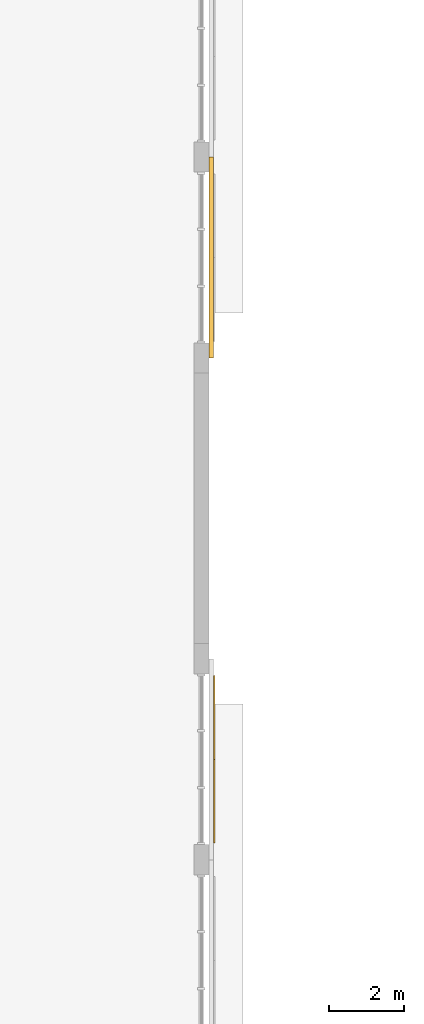
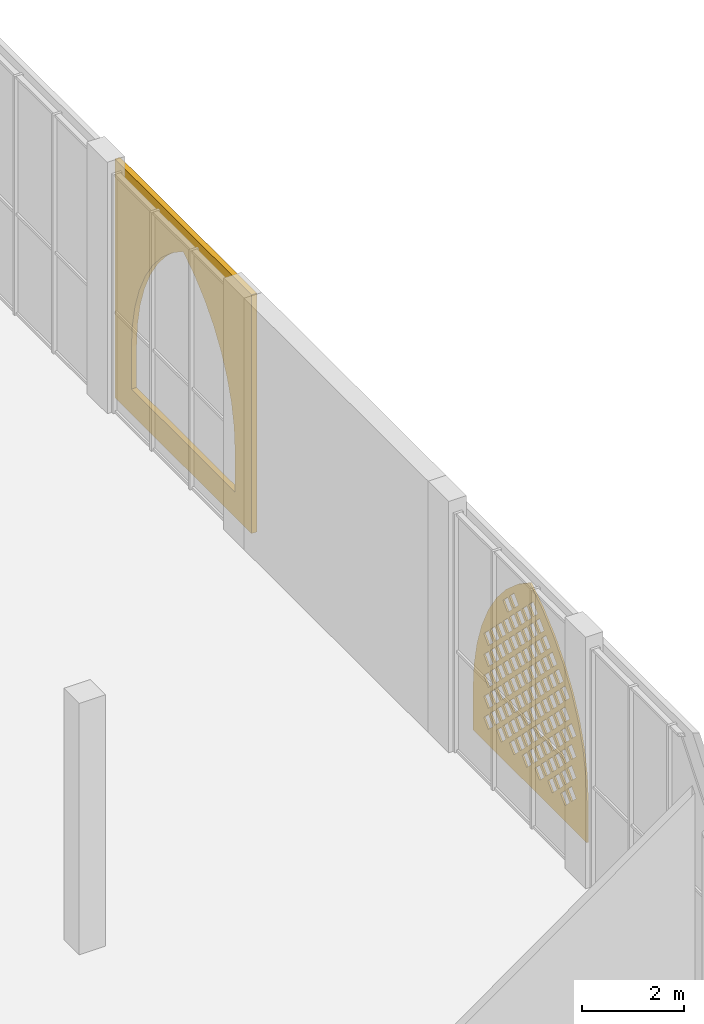
# One storey, part 42 of 74: 2 coverings.
"""IFC4 building model written with IfcOpenShell, lengths in metres."""

from ifc_helpers import new_model, si_unit, direction, frame, origin, place, context, subcontext, project, spatial, polyline, outline, extrude, material, layer, layer_set, type_object, element, save


model = new_model("IFC4")

# Units and contexts
model_context = context("Model", 3, precision=1e-05, world=origin(), true_north=direction((0.0, 1.0)))
body_context = subcontext(model_context, "Body", "Model", "MODEL_VIEW")
ifc_project = project(units=[si_unit("LENGTHUNIT", "METRE"), si_unit("AREAUNIT", "SQUARE_METRE"), si_unit("VOLUMEUNIT", "CUBIC_METRE"), si_unit("PLANEANGLEUNIT", "RADIAN"), si_unit("MASSUNIT", "GRAM", prefix="KILO")], contexts=[model_context])

# Site, building, storey
site_placement = place(None, origin())
site = spatial("IfcSite", under=ifc_project, at=site_placement, CompositionType="ELEMENT")
building_placement = place(site_placement, origin())
building = spatial("IfcBuilding", under=site, at=building_placement, Name="Noorbagh Ring Tower", CompositionType="ELEMENT")
storey_placement = place(building_placement, frame((0.0, 0.0, 13.5)))
storey = spatial("IfcBuildingStorey", under=building, at=storey_placement, Name="L02", CompositionType="ELEMENT", Elevation=13.5)

# Coverings
ifc_material_1 = material(Name="Red sandstone jali", Category="masonry")
ifc_layer_1 = layer(ifc_material_1, 0.0400390625)
ifc_layer_set_1 = layer_set([ifc_layer_1], Name="Red sandstone jali")
covering_type_1 = type_object("IfcCoveringType", Name="STH-JALI", PredefinedType="USERDEFINED", material=ifc_layer_set_1)
covering_1_placement = place(storey_placement, frame((-94.840087890625, -3.89990234375, 0.39990234375), z_axis=(1.0, 0.0, 0.0), x_axis=(0.0, 1.0, 0.0)))
element("IfcCovering", 1, at=covering_1_placement, inside=storey, type_object=covering_type_1, Name="Jali screen", ObjectType="SCREEN", PredefinedType="USERDEFINED", context=body_context, shape_type="SweptSolid", body=[
    extrude(outline(polyline([(0.0, 0.0), (4.449951171875, 0.0), (4.449951171875, 1.0), (4.411865234375, 1.580810546875), (4.29833984375, 2.15185546875), (4.111083984375, 2.702880859375), (3.853759765625, 3.22509765625), (3.5302734375, 3.708984375), (3.146484375, 4.146728515625), (2.708984375, 4.530517578125), (2.224853515625, 4.85400390625), (1.740966796875, 4.530517578125), (1.30322265625, 4.146728515625), (0.91943359375, 3.708984375), (0.59619140625, 3.22509765625), (0.338623046875, 2.702880859375), (0.151611328125, 2.15185546875), (0.0380859375, 1.580810546875), (0.0, 1.0), (0.0, 0.0)]), holes=[polyline([(0.669921875, 0.552001953125), (0.85009765625, 0.371826171875), (1.030029296875, 0.552001953125), (0.85009765625, 0.73193359375), (0.669921875, 0.552001953125)]), polyline([(1.169921875, 0.552001953125), (1.35009765625, 0.371826171875), (1.530029296875, 0.552001953125), (1.35009765625, 0.73193359375), (1.169921875, 0.552001953125)]), polyline([(1.669921875, 0.552001953125), (1.85009765625, 0.371826171875), (2.030029296875, 0.552001953125), (1.85009765625, 0.73193359375), (1.669921875, 0.552001953125)]), polyline([(2.169921875, 0.552001953125), (2.35009765625, 0.371826171875), (2.530029296875, 0.552001953125), (2.35009765625, 0.73193359375), (2.169921875, 0.552001953125)]), polyline([(2.669921875, 0.552001953125), (2.85009765625, 0.371826171875), (3.030029296875, 0.552001953125), (2.85009765625, 0.73193359375), (2.669921875, 0.552001953125)]), polyline([(3.169921875, 0.552001953125), (3.35009765625, 0.371826171875), (3.530029296875, 0.552001953125), (3.35009765625, 0.73193359375), (3.169921875, 0.552001953125)]), polyline([(3.669921875, 0.552001953125), (3.85009765625, 0.371826171875), (4.030029296875, 0.552001953125), (3.85009765625, 0.73193359375), (3.669921875, 0.552001953125)]), polyline([(0.419921875, 0.802001953125), (0.60009765625, 0.621826171875), (0.780029296875, 0.802001953125), (0.60009765625, 0.98193359375), (0.419921875, 0.802001953125)]), polyline([(0.919921875, 0.802001953125), (1.10009765625, 0.621826171875), (1.280029296875, 0.802001953125), (1.10009765625, 0.98193359375), (0.919921875, 0.802001953125)]), polyline([(1.419921875, 0.802001953125), (1.60009765625, 0.621826171875), (1.780029296875, 0.802001953125), (1.60009765625, 0.98193359375), (1.419921875, 0.802001953125)]), polyline([(1.919921875, 0.802001953125), (2.10009765625, 0.621826171875), (2.280029296875, 0.802001953125), (2.10009765625, 0.98193359375), (1.919921875, 0.802001953125)]), polyline([(2.419921875, 0.802001953125), (2.60009765625, 0.621826171875), (2.780029296875, 0.802001953125), (2.60009765625, 0.98193359375), (2.419921875, 0.802001953125)]), polyline([(2.919921875, 0.802001953125), (3.10009765625, 0.621826171875), (3.280029296875, 0.802001953125), (3.10009765625, 0.98193359375), (2.919921875, 0.802001953125)]), polyline([(3.419921875, 0.802001953125), (3.60009765625, 0.621826171875), (3.780029296875, 0.802001953125), (3.60009765625, 0.98193359375), (3.419921875, 0.802001953125)]), polyline([(0.669921875, 1.052001953125), (0.85009765625, 0.871826171875), (1.030029296875, 1.052001953125), (0.85009765625, 1.23193359375), (0.669921875, 1.052001953125)]), polyline([(1.169921875, 1.052001953125), (1.35009765625, 0.871826171875), (1.530029296875, 1.052001953125), (1.35009765625, 1.23193359375), (1.169921875, 1.052001953125)]), polyline([(1.669921875, 1.052001953125), (1.85009765625, 0.871826171875), (2.030029296875, 1.052001953125), (1.85009765625, 1.23193359375), (1.669921875, 1.052001953125)]), polyline([(2.169921875, 1.052001953125), (2.35009765625, 0.871826171875), (2.530029296875, 1.052001953125), (2.35009765625, 1.23193359375), (2.169921875, 1.052001953125)]), polyline([(2.669921875, 1.052001953125), (2.85009765625, 0.871826171875), (3.030029296875, 1.052001953125), (2.85009765625, 1.23193359375), (2.669921875, 1.052001953125)]), polyline([(3.169921875, 1.052001953125), (3.35009765625, 0.871826171875), (3.530029296875, 1.052001953125), (3.35009765625, 1.23193359375), (3.169921875, 1.052001953125)]), polyline([(3.669921875, 1.052001953125), (3.85009765625, 0.871826171875), (4.030029296875, 1.052001953125), (3.85009765625, 1.23193359375), (3.669921875, 1.052001953125)]), polyline([(0.419921875, 1.302001953125), (0.60009765625, 1.121826171875), (0.780029296875, 1.302001953125), (0.60009765625, 1.48193359375), (0.419921875, 1.302001953125)]), polyline([(0.919921875, 1.302001953125), (1.10009765625, 1.121826171875), (1.280029296875, 1.302001953125), (1.10009765625, 1.48193359375), (0.919921875, 1.302001953125)]), polyline([(1.419921875, 1.302001953125), (1.60009765625, 1.121826171875), (1.780029296875, 1.302001953125), (1.60009765625, 1.48193359375), (1.419921875, 1.302001953125)]), polyline([(1.919921875, 1.302001953125), (2.10009765625, 1.121826171875), (2.280029296875, 1.302001953125), (2.10009765625, 1.48193359375), (1.919921875, 1.302001953125)]), polyline([(2.419921875, 1.302001953125), (2.60009765625, 1.121826171875), (2.780029296875, 1.302001953125), (2.60009765625, 1.48193359375), (2.419921875, 1.302001953125)]), polyline([(2.919921875, 1.302001953125), (3.10009765625, 1.121826171875), (3.280029296875, 1.302001953125), (3.10009765625, 1.48193359375), (2.919921875, 1.302001953125)]), polyline([(3.419921875, 1.302001953125), (3.60009765625, 1.121826171875), (3.780029296875, 1.302001953125), (3.60009765625, 1.48193359375), (3.419921875, 1.302001953125)]), polyline([(0.669921875, 1.552001953125), (0.85009765625, 1.371826171875), (1.030029296875, 1.552001953125), (0.85009765625, 1.73193359375), (0.669921875, 1.552001953125)]), polyline([(1.169921875, 1.552001953125), (1.35009765625, 1.371826171875), (1.530029296875, 1.552001953125), (1.35009765625, 1.73193359375), (1.169921875, 1.552001953125)]), polyline([(1.669921875, 1.552001953125), (1.85009765625, 1.371826171875), (2.030029296875, 1.552001953125), (1.85009765625, 1.73193359375), (1.669921875, 1.552001953125)]), polyline([(2.169921875, 1.552001953125), (2.35009765625, 1.371826171875), (2.530029296875, 1.552001953125), (2.35009765625, 1.73193359375), (2.169921875, 1.552001953125)]), polyline([(2.669921875, 1.552001953125), (2.85009765625, 1.371826171875), (3.030029296875, 1.552001953125), (2.85009765625, 1.73193359375), (2.669921875, 1.552001953125)]), polyline([(3.169921875, 1.552001953125), (3.35009765625, 1.371826171875), (3.530029296875, 1.552001953125), (3.35009765625, 1.73193359375), (3.169921875, 1.552001953125)]), polyline([(3.669921875, 1.552001953125), (3.85009765625, 1.371826171875), (4.030029296875, 1.552001953125), (3.85009765625, 1.73193359375), (3.669921875, 1.552001953125)]), polyline([(0.419921875, 1.802001953125), (0.60009765625, 1.621826171875), (0.780029296875, 1.802001953125), (0.60009765625, 1.98193359375), (0.419921875, 1.802001953125)]), polyline([(0.919921875, 1.802001953125), (1.10009765625, 1.621826171875), (1.280029296875, 1.802001953125), (1.10009765625, 1.98193359375), (0.919921875, 1.802001953125)]), polyline([(1.419921875, 1.802001953125), (1.60009765625, 1.621826171875), (1.780029296875, 1.802001953125), (1.60009765625, 1.98193359375), (1.419921875, 1.802001953125)]), polyline([(1.919921875, 1.802001953125), (2.10009765625, 1.621826171875), (2.280029296875, 1.802001953125), (2.10009765625, 1.98193359375), (1.919921875, 1.802001953125)]), polyline([(2.419921875, 1.802001953125), (2.60009765625, 1.621826171875), (2.780029296875, 1.802001953125), (2.60009765625, 1.98193359375), (2.419921875, 1.802001953125)]), polyline([(2.919921875, 1.802001953125), (3.10009765625, 1.621826171875), (3.280029296875, 1.802001953125), (3.10009765625, 1.98193359375), (2.919921875, 1.802001953125)]), polyline([(3.419921875, 1.802001953125), (3.60009765625, 1.621826171875), (3.780029296875, 1.802001953125), (3.60009765625, 1.98193359375), (3.419921875, 1.802001953125)]), polyline([(0.669921875, 2.052001953125), (0.85009765625, 1.871826171875), (1.030029296875, 2.052001953125), (0.85009765625, 2.23193359375), (0.669921875, 2.052001953125)]), polyline([(1.169921875, 2.052001953125), (1.35009765625, 1.871826171875), (1.530029296875, 2.052001953125), (1.35009765625, 2.23193359375), (1.169921875, 2.052001953125)]), polyline([(1.669921875, 2.052001953125), (1.85009765625, 1.871826171875), (2.030029296875, 2.052001953125), (1.85009765625, 2.23193359375), (1.669921875, 2.052001953125)]), polyline([(2.169921875, 2.052001953125), (2.35009765625, 1.871826171875), (2.530029296875, 2.052001953125), (2.35009765625, 2.23193359375), (2.169921875, 2.052001953125)]), polyline([(2.669921875, 2.052001953125), (2.85009765625, 1.871826171875), (3.030029296875, 2.052001953125), (2.85009765625, 2.23193359375), (2.669921875, 2.052001953125)]), polyline([(3.169921875, 2.052001953125), (3.35009765625, 1.871826171875), (3.530029296875, 2.052001953125), (3.35009765625, 2.23193359375), (3.169921875, 2.052001953125)]), polyline([(3.669921875, 2.052001953125), (3.85009765625, 1.871826171875), (4.030029296875, 2.052001953125), (3.85009765625, 2.23193359375), (3.669921875, 2.052001953125)]), polyline([(0.419921875, 2.302001953125), (0.60009765625, 2.121826171875), (0.780029296875, 2.302001953125), (0.60009765625, 2.48193359375), (0.419921875, 2.302001953125)]), polyline([(0.919921875, 2.302001953125), (1.10009765625, 2.121826171875), (1.280029296875, 2.302001953125), (1.10009765625, 2.48193359375), (0.919921875, 2.302001953125)]), polyline([(1.419921875, 2.302001953125), (1.60009765625, 2.121826171875), (1.780029296875, 2.302001953125), (1.60009765625, 2.48193359375), (1.419921875, 2.302001953125)]), polyline([(1.919921875, 2.302001953125), (2.10009765625, 2.121826171875), (2.280029296875, 2.302001953125), (2.10009765625, 2.48193359375), (1.919921875, 2.302001953125)]), polyline([(2.419921875, 2.302001953125), (2.60009765625, 2.121826171875), (2.780029296875, 2.302001953125), (2.60009765625, 2.48193359375), (2.419921875, 2.302001953125)]), polyline([(2.919921875, 2.302001953125), (3.10009765625, 2.121826171875), (3.280029296875, 2.302001953125), (3.10009765625, 2.48193359375), (2.919921875, 2.302001953125)]), polyline([(3.419921875, 2.302001953125), (3.60009765625, 2.121826171875), (3.780029296875, 2.302001953125), (3.60009765625, 2.48193359375), (3.419921875, 2.302001953125)]), polyline([(0.669921875, 2.552001953125), (0.85009765625, 2.371826171875), (1.030029296875, 2.552001953125), (0.85009765625, 2.73193359375), (0.669921875, 2.552001953125)]), polyline([(1.169921875, 2.552001953125), (1.35009765625, 2.371826171875), (1.530029296875, 2.552001953125), (1.35009765625, 2.73193359375), (1.169921875, 2.552001953125)]), polyline([(1.669921875, 2.552001953125), (1.85009765625, 2.371826171875), (2.030029296875, 2.552001953125), (1.85009765625, 2.73193359375), (1.669921875, 2.552001953125)]), polyline([(2.169921875, 2.552001953125), (2.35009765625, 2.371826171875), (2.530029296875, 2.552001953125), (2.35009765625, 2.73193359375), (2.169921875, 2.552001953125)]), polyline([(2.669921875, 2.552001953125), (2.85009765625, 2.371826171875), (3.030029296875, 2.552001953125), (2.85009765625, 2.73193359375), (2.669921875, 2.552001953125)]), polyline([(3.169921875, 2.552001953125), (3.35009765625, 2.371826171875), (3.530029296875, 2.552001953125), (3.35009765625, 2.73193359375), (3.169921875, 2.552001953125)]), polyline([(3.669921875, 2.552001953125), (3.85009765625, 2.371826171875), (4.030029296875, 2.552001953125), (3.85009765625, 2.73193359375), (3.669921875, 2.552001953125)]), polyline([(0.919921875, 2.802001953125), (1.10009765625, 2.621826171875), (1.280029296875, 2.802001953125), (1.10009765625, 2.98193359375), (0.919921875, 2.802001953125)]), polyline([(1.419921875, 2.802001953125), (1.60009765625, 2.621826171875), (1.780029296875, 2.802001953125), (1.60009765625, 2.98193359375), (1.419921875, 2.802001953125)]), polyline([(1.919921875, 2.802001953125), (2.10009765625, 2.621826171875), (2.280029296875, 2.802001953125), (2.10009765625, 2.98193359375), (1.919921875, 2.802001953125)]), polyline([(2.419921875, 2.802001953125), (2.60009765625, 2.621826171875), (2.780029296875, 2.802001953125), (2.60009765625, 2.98193359375), (2.419921875, 2.802001953125)]), polyline([(2.919921875, 2.802001953125), (3.10009765625, 2.621826171875), (3.280029296875, 2.802001953125), (3.10009765625, 2.98193359375), (2.919921875, 2.802001953125)]), polyline([(3.419921875, 2.802001953125), (3.60009765625, 2.621826171875), (3.780029296875, 2.802001953125), (3.60009765625, 2.98193359375), (3.419921875, 2.802001953125)]), polyline([(0.669921875, 3.052001953125), (0.85009765625, 2.871826171875), (1.030029296875, 3.052001953125), (0.85009765625, 3.23193359375), (0.669921875, 3.052001953125)]), polyline([(1.169921875, 3.052001953125), (1.35009765625, 2.871826171875), (1.530029296875, 3.052001953125), (1.35009765625, 3.23193359375), (1.169921875, 3.052001953125)]), polyline([(1.669921875, 3.052001953125), (1.85009765625, 2.871826171875), (2.030029296875, 3.052001953125), (1.85009765625, 3.23193359375), (1.669921875, 3.052001953125)]), polyline([(2.169921875, 3.052001953125), (2.35009765625, 2.871826171875), (2.530029296875, 3.052001953125), (2.35009765625, 3.23193359375), (2.169921875, 3.052001953125)]), polyline([(2.669921875, 3.052001953125), (2.85009765625, 2.871826171875), (3.030029296875, 3.052001953125), (2.85009765625, 3.23193359375), (2.669921875, 3.052001953125)]), polyline([(3.169921875, 3.052001953125), (3.35009765625, 2.871826171875), (3.530029296875, 3.052001953125), (3.35009765625, 3.23193359375), (3.169921875, 3.052001953125)]), polyline([(0.919921875, 3.302001953125), (1.10009765625, 3.121826171875), (1.280029296875, 3.302001953125), (1.10009765625, 3.48193359375), (0.919921875, 3.302001953125)]), polyline([(1.419921875, 3.302001953125), (1.60009765625, 3.121826171875), (1.780029296875, 3.302001953125), (1.60009765625, 3.48193359375), (1.419921875, 3.302001953125)]), polyline([(1.919921875, 3.302001953125), (2.10009765625, 3.121826171875), (2.280029296875, 3.302001953125), (2.10009765625, 3.48193359375), (1.919921875, 3.302001953125)]), polyline([(2.419921875, 3.302001953125), (2.60009765625, 3.121826171875), (2.780029296875, 3.302001953125), (2.60009765625, 3.48193359375), (2.419921875, 3.302001953125)]), polyline([(2.919921875, 3.302001953125), (3.10009765625, 3.121826171875), (3.280029296875, 3.302001953125), (3.10009765625, 3.48193359375), (2.919921875, 3.302001953125)]), polyline([(1.169921875, 3.552001953125), (1.35009765625, 3.371826171875), (1.530029296875, 3.552001953125), (1.35009765625, 3.73193359375), (1.169921875, 3.552001953125)]), polyline([(1.669921875, 3.552001953125), (1.85009765625, 3.371826171875), (2.030029296875, 3.552001953125), (1.85009765625, 3.73193359375), (1.669921875, 3.552001953125)]), polyline([(2.169921875, 3.552001953125), (2.35009765625, 3.371826171875), (2.530029296875, 3.552001953125), (2.35009765625, 3.73193359375), (2.169921875, 3.552001953125)]), polyline([(2.669921875, 3.552001953125), (2.85009765625, 3.371826171875), (3.030029296875, 3.552001953125), (2.85009765625, 3.73193359375), (2.669921875, 3.552001953125)]), polyline([(1.419921875, 3.802001953125), (1.60009765625, 3.621826171875), (1.780029296875, 3.802001953125), (1.60009765625, 3.98193359375), (1.419921875, 3.802001953125)]), polyline([(1.919921875, 3.802001953125), (2.10009765625, 3.621826171875), (2.280029296875, 3.802001953125), (2.10009765625, 3.98193359375), (1.919921875, 3.802001953125)]), polyline([(2.419921875, 3.802001953125), (2.60009765625, 3.621826171875), (2.780029296875, 3.802001953125), (2.60009765625, 3.98193359375), (2.419921875, 3.802001953125)]), polyline([(2.919921875, 3.802001953125), (3.10009765625, 3.621826171875), (3.280029296875, 3.802001953125), (3.10009765625, 3.98193359375), (2.919921875, 3.802001953125)]), polyline([(1.669921875, 4.052001953125), (1.85009765625, 3.871826171875), (2.030029296875, 4.052001953125), (1.85009765625, 4.23193359375), (1.669921875, 4.052001953125)]), polyline([(2.169921875, 4.052001953125), (2.35009765625, 3.871826171875), (2.530029296875, 4.052001953125), (2.35009765625, 4.23193359375), (2.169921875, 4.052001953125)]), polyline([(2.669921875, 4.052001953125), (2.85009765625, 3.871826171875), (3.030029296875, 4.052001953125), (2.85009765625, 4.23193359375), (2.669921875, 4.052001953125)]), polyline([(1.919921875, 4.302001953125), (2.10009765625, 4.121826171875), (2.280029296875, 4.302001953125), (2.10009765625, 4.48193359375), (1.919921875, 4.302001953125)])]), origin(), (0.0, 0.0, -1.0), 0.0400390625),
])
ifc_material_2 = material(Name="Red sandstone cladding", Category="masonry")
ifc_layer_2 = layer(ifc_material_2, 0.1201171875)
ifc_layer_set_2 = layer_set([ifc_layer_2], Name="Red sandstone cladding")
covering_type_2 = type_object("IfcCoveringType", Name="STH-SPANDREL", PredefinedType="USERDEFINED", material=ifc_layer_set_2)
covering_2_placement = place(storey_placement, frame((-94.8798828125, 9.0, 0.0), z_axis=(1.0, 0.0, 0.0), x_axis=(0.0, 1.0, 0.0)))
element("IfcCovering", 2, at=covering_2_placement, inside=storey, type_object=covering_type_2, Name="Arch spandrel", ObjectType="ARCH", PredefinedType="USERDEFINED", context=body_context, shape_type="SweptSolid", body=[
    extrude(outline(polyline([(0.0, 0.0), (5.35009765625, 0.0), (5.35009765625, 5.699951171875), (0.0, 5.699951171875), (0.0, 0.0)]), holes=[polyline([(0.64990234375, 0.60009765625), (0.64990234375, 1.60009765625), (0.6845703125, 2.128662109375), (0.7880859375, 2.648193359375), (0.958251953125, 3.14990234375), (1.192626953125, 3.625), (1.48681640625, 4.0654296875), (1.836181640625, 4.4638671875), (2.234619140625, 4.81298828125), (2.675048828125, 5.107421875), (3.115478515625, 4.81298828125), (3.513916015625, 4.4638671875), (3.863037109375, 4.0654296875), (4.157470703125, 3.625), (4.3916015625, 3.14990234375), (4.56201171875, 2.648193359375), (4.665283203125, 2.128662109375), (4.699951171875, 1.60009765625), (4.699951171875, 0.60009765625), (0.64990234375, 0.60009765625)])]), origin(), (0.0, 0.0, -1.0), 0.1201171875),
])

save(model, "model.ifc")
